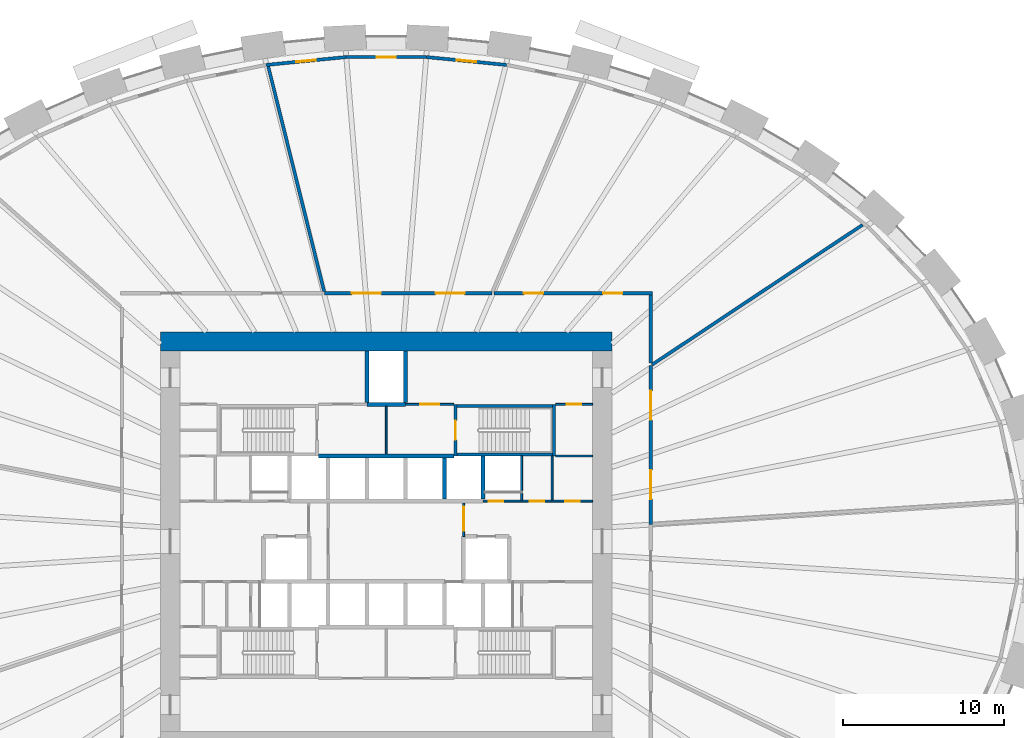
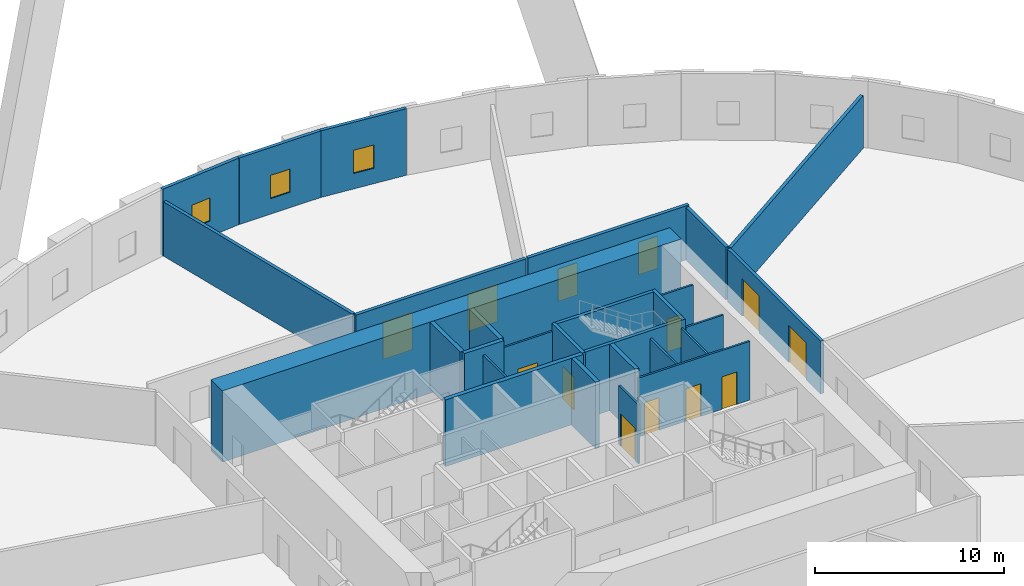
# One storey, part 7 of 9: 28 walls, 13 doors, 3 windows, 16 openings.
"""IFC4 building model written with IfcOpenShell, lengths in metres."""

from ifc_helpers import new_model, si_unit, direction, frame, frame_2d, origin, place, context, subcontext, project, spatial, rectangle, extrude, source, transform, mapped, material, layer, layer_set, type_object, element, fill, save


model = new_model("IFC4")

# Units and contexts
model_context = context("Model", 3, precision=1e-05, world=origin(), true_north=direction((0.0, 1.0)))
body_context = subcontext(model_context, "Body", "Model", "MODEL_VIEW")
ifc_project = project(units=[si_unit("LENGTHUNIT", "METRE"), si_unit("AREAUNIT", "SQUARE_METRE"), si_unit("VOLUMEUNIT", "CUBIC_METRE"), si_unit("PLANEANGLEUNIT", "RADIAN"), si_unit("MASSUNIT", "GRAM", prefix="KILO")], contexts=[model_context])

# Site, building, storey
site_placement = place(None, origin())
site = spatial("IfcSite", under=ifc_project, at=site_placement, CompositionType="ELEMENT")
building_placement = place(site_placement, origin())
building = spatial("IfcBuilding", under=site, at=building_placement, Name="Embergate Tower", CompositionType="ELEMENT")
storey_placement = place(building_placement, frame((0.0, 0.0, 53.60009765625)))
storey = spatial("IfcBuildingStorey", under=building, at=storey_placement, Name="L09", CompositionType="ELEMENT", Elevation=53.60009765625)

# Wall
ifc_material_1 = material(Name="Concrete C80", Category="concrete")
ifc_layer_1 = layer(ifc_material_1, 1.199951171875)
ifc_layer_set_1 = layer_set([ifc_layer_1], Name="Concrete C80")
wall_type_1 = type_object("IfcWallType", Name="Core outer wall C80 1200", PredefinedType="SHEAR", material=ifc_layer_set_1)
shared_shape_1 = source(origin(), body_context, "Body", "SweptSolid", [
    extrude(rectangle(XDim=28.0, YDim=1.199951171875, at=frame_2d((14.0, 0.0))), origin(), (0.0, 0.0, 1.0), 4.599853515625),
])
wall_1_placement = place(storey_placement, frame((-14.0, 12.39990234375, -0.300048828125), z_axis=(0.0, 0.0, 1.0), x_axis=(1.0, 0.0, 0.0)))
element("IfcWall", 1, at=wall_1_placement, inside=storey, type_object=wall_type_1, Name="CW-L09-N", PredefinedType="SHEAR", context=body_context, shape_type="MappedRepresentation", body=[
    mapped(shared_shape_1, transform((0.0, 0.0, 0.0))),
])

# Wall, opening, window
ifc_material_2 = material(Name="Terracotta louvre cladding on insulated backing", Category="masonry")
ifc_layer_2 = layer(ifc_material_2, 0.199951171875)
ifc_layer_set_2 = layer_set([ifc_layer_2], Name="Terracotta louvre cladding on insulated backing")
wall_type_2 = type_object("IfcWallType", Name="Terracotta louvre wall", PredefinedType="SOLIDWALL", material=ifc_layer_set_2)
shared_shape_2 = source(origin(), body_context, "Body", "SweptSolid", [
    extrude(rectangle(XDim=4.96923828125, YDim=0.199951171875, at=frame_2d((2.484619140625, 0.0))), origin(), (0.0, 0.0, 1.0), 4.2998046875),
])
wall_2_placement = place(storey_placement, frame((2.5048828125, 30.0419921875, 0.0), z_axis=(0.0, 0.0, 1.0), x_axis=(0.995204077975, -0.097820464023, 0.0)))
wall_2 = element("IfcWall", 2, at=wall_2_placement, inside=storey, type_object=wall_type_2, Name="Louvre wall 10", PredefinedType="SOLIDWALL", context=body_context, shape_type="MappedRepresentation", body=[
    mapped(shared_shape_2, transform((0.0, 0.0, 0.0))),
])
shared_shape_3 = source(origin(), body_context, "Body", "SweptSolid", [
    extrude(rectangle(XDim=1.199951171875, YDim=1.5, at=frame_2d((0.60009765625, 0.75))), frame((0.0, 0.10986328125, 0.0), z_axis=(0.0, -1.0, 0.0), x_axis=(1.0, 0.0, 0.0)), (0.0, 0.0, 1.0), 0.219970703125),
])
opening_1_placement = place(wall_2_placement, frame((1.884521484375, 0.0, 1.0)))
opening_1 = element("IfcOpeningElement", 3, at=opening_1_placement, cuts=wall_2, Name="Opening RW", PredefinedType="OPENING", context=body_context, shape_type="MappedRepresentation", body=[
    mapped(shared_shape_3, transform((0.0, 0.0, 0.0))),
])
ifc_material_3 = material(Name="Aluminium, thermally broken, triple glazed", Category="aluminium")
window_type = type_object("IfcWindowType", Name="Refuge operable window", PartitioningType="SINGLE_PANEL", PredefinedType="WINDOW", material=ifc_material_3)
shared_shape_4 = source(origin(), body_context, "Body", "SweptSolid", [
    extrude(rectangle(XDim=1.199951171875, YDim=1.5, at=frame_2d((0.60009765625, 0.75))), frame((0.0, 0.030029296875, 0.0), z_axis=(0.0, -1.0, 0.0), x_axis=(1.0, 0.0, 0.0)), (0.0, 0.0, 1.0), 0.06005859375),
])
window_1_placement = place(opening_1_placement, origin())
window_1 = element("IfcWindow", 4, at=window_1_placement, inside=storey, type_object=window_type, Name="Refuge window 10", OverallHeight=1.5, OverallWidth=1.199951171875, PartitioningType="SINGLE_PANEL", PredefinedType="WINDOW", context=body_context, shape_type="MappedRepresentation", body=[
    mapped(shared_shape_4, transform((0.0, 0.0, 0.0))),
])
fill(opening_1, window_1)

wall_3_placement = place(storey_placement, frame((-7.4501953125, 29.555908203125, 0.0), z_axis=(0.0, 0.0, 1.0), x_axis=(0.995204077975, 0.097820464023, 0.0)))
wall_3 = element("IfcWall", 5, at=wall_3_placement, inside=storey, type_object=wall_type_2, Name="Louvre wall 12", PredefinedType="SOLIDWALL", context=body_context, shape_type="MappedRepresentation", body=[
    mapped(shared_shape_2, transform((0.0, 0.0, 0.0))),
])
opening_2_placement = place(wall_3_placement, frame((1.884521484375, 0.0, 1.0)))
opening_2 = element("IfcOpeningElement", 6, at=opening_2_placement, cuts=wall_3, Name="Opening RW", PredefinedType="OPENING", context=body_context, shape_type="MappedRepresentation", body=[
    mapped(shared_shape_3, transform((0.0, 0.0, 0.0))),
])
window_2_placement = place(opening_2_placement, origin())
window_2 = element("IfcWindow", 7, at=window_2_placement, inside=storey, type_object=window_type, Name="Refuge window 12", OverallHeight=1.5, OverallWidth=1.199951171875, PartitioningType="SINGLE_PANEL", PredefinedType="WINDOW", context=body_context, shape_type="MappedRepresentation", body=[
    mapped(shared_shape_4, transform((0.0, 0.0, 0.0))),
])
fill(opening_2, window_2)

shared_shape_5 = source(origin(), body_context, "Body", "SweptSolid", [
    extrude(rectangle(XDim=4.9697265625, YDim=0.199951171875, at=frame_2d((2.48486328125, 0.0))), origin(), (0.0, 0.0, 1.0), 4.2998046875),
])
wall_4_placement = place(storey_placement, frame((-2.48486328125, 30.043212890625, 0.0), z_axis=(0.0, 0.0, 1.0), x_axis=(1.0, 0.0, 0.0)))
wall_4 = element("IfcWall", 8, at=wall_4_placement, inside=storey, type_object=wall_type_2, Name="Louvre wall 11", PredefinedType="SOLIDWALL", context=body_context, shape_type="MappedRepresentation", body=[
    mapped(shared_shape_5, transform((0.0, 0.0, 0.0))),
])
opening_3_placement = place(wall_4_placement, frame((1.884765625, 0.0, 1.0)))
opening_3 = element("IfcOpeningElement", 9, at=opening_3_placement, cuts=wall_4, Name="Opening RW", PredefinedType="OPENING", context=body_context, shape_type="MappedRepresentation", body=[
    mapped(shared_shape_3, transform((0.0, 0.0, 0.0))),
])
window_3_placement = place(opening_3_placement, origin())
window_3 = element("IfcWindow", 10, at=window_3_placement, inside=storey, type_object=window_type, Name="Refuge window 11", OverallHeight=1.5, OverallWidth=1.199951171875, PartitioningType="SINGLE_PANEL", PredefinedType="WINDOW", context=body_context, shape_type="MappedRepresentation", body=[
    mapped(shared_shape_4, transform((0.0, 0.0, 0.0))),
])
fill(opening_3, window_3)

# Wall
ifc_material_4 = material(Name="Concrete C50", Category="concrete")
ifc_layer_3 = layer(ifc_material_4, 0.25)
ifc_layer_set_3 = layer_set([ifc_layer_3], Name="Concrete C50")
wall_type_3 = type_object("IfcWallType", Name="Hoistway wall reinforced concrete 250", PredefinedType="SHEAR", material=ifc_layer_set_3)
shared_shape_6 = source(origin(), body_context, "Body", "SweptSolid", [
    extrude(rectangle(XDim=2.675048828125, YDim=0.25, at=frame_2d((1.33740234375, 0.0))), origin(), (0.0, 0.0, 1.0), 4.2998046875),
])
wall_5_placement = place(storey_placement, frame((6.0, 2.625, 0.0), z_axis=(0.0, 0.0, 1.0), x_axis=(0.0, 1.0, 0.0)))
element("IfcWall", 11, at=wall_5_placement, inside=storey, type_object=wall_type_3, Name="HW-1 wall", PredefinedType="SHEAR", context=body_context, shape_type="MappedRepresentation", body=[
    mapped(shared_shape_6, transform((0.0, 0.0, 0.0))),
])

# Wall, openings, doors
ifc_material_5 = material(Name="Core partition blockwork 120")
ifc_layer_4 = layer(ifc_material_5, 0.1201171875)
ifc_layer_set_4 = layer_set([ifc_layer_4], Name="Core partition blockwork 120")
wall_type_4 = type_object("IfcWallType", Name="Core partition blockwork 120", PredefinedType="PARTITIONING", material=ifc_layer_set_4)
shared_shape_7 = source(origin(), body_context, "Body", "SweptSolid", [
    extrude(rectangle(XDim=6.800048828125, YDim=0.1201171875, at=frame_2d((3.39990234375, 0.0))), origin(), (0.0, 0.0, 1.0), 3.7998046875),
])
wall_6_placement = place(storey_placement, frame((6.0, 2.5, 0.0), z_axis=(0.0, 0.0, 1.0), x_axis=(1.0, 0.0, 0.0)))
wall_6 = element("IfcWall", 12, at=wall_6_placement, inside=storey, type_object=wall_type_4, Name="IP-3 wall", PredefinedType="PARTITIONING", context=body_context, shape_type="MappedRepresentation", body=[
    mapped(shared_shape_7, transform((0.0, 0.0, 0.0))),
])
shared_shape_8 = source(origin(), body_context, "Body", "SweptSolid", [
    extrude(rectangle(XDim=0.89990234375, YDim=2.10009765625, at=frame_2d((0.449951171875, 1.050048828125))), frame((0.0, 0.070068359375, 0.0), z_axis=(0.0, -1.0, 0.0), x_axis=(1.0, 0.0, 0.0)), (0.0, 0.0, 1.0), 0.14013671875),
])
opening_4_placement = place(wall_6_placement, frame((0.35009765625, 0.0, 0.0)))
opening_4 = element("IfcOpeningElement", 13, at=opening_4_placement, cuts=wall_6, Name="Opening ID-1", PredefinedType="OPENING", context=body_context, shape_type="MappedRepresentation", body=[
    mapped(shared_shape_8, transform((0.0, 0.0, 0.0))),
])
opening_5_placement = place(wall_6_placement, frame((2.89599609375, 0.0, 0.0)))
opening_5 = element("IfcOpeningElement", 14, at=opening_5_placement, cuts=wall_6, Name="Opening ID-1", PredefinedType="OPENING", context=body_context, shape_type="MappedRepresentation", body=[
    mapped(shared_shape_8, transform((0.0, 0.0, 0.0))),
])
opening_6_placement = place(wall_6_placement, frame((5.095947265625, 0.0, 0.0)))
opening_6 = element("IfcOpeningElement", 15, at=opening_6_placement, cuts=wall_6, Name="Opening ID-1", PredefinedType="OPENING", context=body_context, shape_type="MappedRepresentation", body=[
    mapped(shared_shape_8, transform((0.0, 0.0, 0.0))),
])
ifc_material_6 = material(Name="Interior door 900")
door_type_1 = type_object("IfcDoorType", Name="Interior door 900", OperationType="SINGLE_SWING_LEFT", PredefinedType="DOOR", material=ifc_material_6)
shared_shape_9 = source(origin(), body_context, "Body", "SweptSolid", [
    extrude(rectangle(XDim=0.89990234375, YDim=2.10009765625, at=frame_2d((0.449951171875, 1.050048828125))), frame((0.0, 0.02490234375, 0.0), z_axis=(0.0, -1.0, 0.0), x_axis=(1.0, 0.0, 0.0)), (0.0, 0.0, 1.0), 0.050048828125),
])
door_1_placement = place(opening_4_placement, origin())
door_1 = element("IfcDoor", 16, at=door_1_placement, inside=storey, type_object=door_type_1, Name="ID-1 door", OperationType="SINGLE_SWING_RIGHT", OverallHeight=2.10009765625, OverallWidth=0.89990234375, PredefinedType="DOOR", context=body_context, shape_type="MappedRepresentation", body=[
    mapped(shared_shape_9, transform((0.0, 0.0, 0.0))),
])
fill(opening_4, door_1)
door_2_placement = place(opening_5_placement, origin())
door_2 = element("IfcDoor", 17, at=door_2_placement, inside=storey, type_object=door_type_1, Name="ID-1 door", OperationType="SINGLE_SWING_LEFT", OverallHeight=2.10009765625, OverallWidth=0.89990234375, PredefinedType="DOOR", context=body_context, shape_type="MappedRepresentation", body=[
    mapped(shared_shape_9, transform((0.0, 0.0, 0.0))),
])
fill(opening_5, door_2)
door_3_placement = place(opening_6_placement, origin())
door_3 = element("IfcDoor", 18, at=door_3_placement, inside=storey, type_object=door_type_1, Name="ID-1 door", OperationType="SINGLE_SWING_LEFT", OverallHeight=2.10009765625, OverallWidth=0.89990234375, PredefinedType="DOOR", context=body_context, shape_type="MappedRepresentation", body=[
    mapped(shared_shape_9, transform((0.0, 0.0, 0.0))),
])
fill(opening_6, door_3)

# Walls
ifc_layer_5 = layer(ifc_material_4, 0.199951171875)
ifc_layer_set_5 = layer_set([ifc_layer_5], Name="Concrete C50")
wall_type_5 = type_object("IfcWallType", Name="Stair enclosure wall reinforced concrete 250", PredefinedType="SHEAR", material=ifc_layer_set_5)
shared_shape_10 = source(origin(), body_context, "Body", "SweptSolid", [
    extrude(rectangle(XDim=6.300048828125, YDim=0.199951171875, at=frame_2d((3.14990234375, 0.0))), origin(), (0.0, 0.0, 1.0), 4.2998046875),
])
for number, where, z_axis, x_axis, name in (
    (19, (10.5, 5.39990234375, 0.0), (0.0, 0.0, 1.0), (-1.0, 0.0, 0.0), "SE-1 wall"),
    (20, (10.5, 8.39990234375, 0.0), (0.0, 0.0, 1.0), (-1.0, 0.0, 0.0), "SE-1 wall"),
):
    element("IfcWall", number, at=place(storey_placement, frame(where, z_axis=z_axis, x_axis=x_axis)), inside=storey, type_object=wall_type_5, Name=name, PredefinedType="SHEAR", context=body_context, shape_type="MappedRepresentation", body=[
        mapped(shared_shape_10, transform((0.0, 0.0, 0.0))),
    ])
shared_shape_11 = source(origin(), body_context, "Body", "SweptSolid", [
    extrude(rectangle(XDim=2.739990234375, YDim=0.1201171875, at=frame_2d((1.3701171875, 0.0))), origin(), (0.0, 0.0, 1.0), 3.7998046875),
])
for number, where, z_axis, x_axis, name in (
    (21, (8.39990234375, 2.56005859375, 0.0), (0.0, 0.0, 1.0), (0.0, 1.0, 0.0), "IP-3 wall"),
    (22, (10.2919921875, 2.56005859375, 0.0), (0.0, 0.0, 1.0), (0.0, 1.0, 0.0), "IP-3 wall"),
):
    element("IfcWall", number, at=place(storey_placement, frame(where, z_axis=z_axis, x_axis=x_axis)), inside=storey, type_object=wall_type_4, Name=name, PredefinedType="PARTITIONING", context=body_context, shape_type="MappedRepresentation", body=[
        mapped(shared_shape_11, transform((0.0, 0.0, 0.0))),
    ])
shared_shape_12 = source(origin(), body_context, "Body", "SweptSolid", [
    extrude(rectangle(XDim=2.550048828125, YDim=0.25, at=frame_2d((1.27490234375, 0.0))), origin(), (0.0, 0.0, 1.0), 4.2998046875),
])
wall_7_placement = place(storey_placement, frame((3.60009765625, 2.625, 0.0), z_axis=(0.0, 0.0, 1.0), x_axis=(0.0, 1.0, 0.0)))
element("IfcWall", 23, at=wall_7_placement, inside=storey, type_object=wall_type_3, Name="HW-1 wall", PredefinedType="SHEAR", context=body_context, shape_type="MappedRepresentation", body=[
    mapped(shared_shape_12, transform((0.0, 0.0, 0.0))),
])
shared_shape_13 = source(origin(), body_context, "Body", "SweptSolid", [
    extrude(rectangle(XDim=8.39990234375, YDim=0.25, at=frame_2d((4.199951171875, 0.0))), origin(), (0.0, 0.0, 1.0), 4.2998046875),
])
wall_8_placement = place(storey_placement, frame((4.199951171875, 5.300048828125, 0.0), z_axis=(0.0, 0.0, 1.0), x_axis=(-1.0, 0.0, 0.0)))
element("IfcWall", 24, at=wall_8_placement, inside=storey, type_object=wall_type_3, Name="HW-1 wall", PredefinedType="SHEAR", context=body_context, shape_type="MappedRepresentation", body=[
    mapped(shared_shape_13, transform((0.0, 0.0, 0.0))),
])

# Wall, opening, door
shared_shape_14 = source(origin(), body_context, "Body", "SweptSolid", [
    extrude(rectangle(XDim=2.074951171875, YDim=0.1201171875, at=frame_2d((1.03759765625, 0.0))), origin(), (0.0, 0.0, 1.0), 3.7998046875),
])
wall_9_placement = place(storey_placement, frame((4.800048828125, 0.300048828125, 0.0), z_axis=(0.0, 0.0, 1.0), x_axis=(0.0, 1.0, 0.0)))
wall_9 = element("IfcWall", 25, at=wall_9_placement, inside=storey, type_object=wall_type_4, Name="IP-3 wall", PredefinedType="PARTITIONING", context=body_context, shape_type="MappedRepresentation", body=[
    mapped(shared_shape_14, transform((0.0, 0.0, 0.0))),
])
shared_shape_15 = source(origin(), body_context, "Body", "SweptSolid", [
    extrude(rectangle(XDim=1.5, YDim=2.10009765625, at=frame_2d((0.75, 1.050048828125))), frame((0.0, 0.070068359375, 0.0), z_axis=(0.0, -1.0, 0.0), x_axis=(1.0, 0.0, 0.0)), (0.0, 0.0, 1.0), 0.14013671875),
])
opening_7_placement = place(wall_9_placement, frame((0.35009765625, 0.0, 0.0)))
opening_7 = element("IfcOpeningElement", 26, at=opening_7_placement, cuts=wall_9, Name="Opening IF-3", PredefinedType="OPENING", context=body_context, shape_type="MappedRepresentation", body=[
    mapped(shared_shape_15, transform((0.0, 0.0, 0.0))),
])
ifc_material_7 = material(Name="Lobby fire door pair 1500")
door_type_2 = type_object("IfcDoorType", Name="Lobby fire door pair 1500", OperationType="DOUBLE_DOOR_SINGLE_SWING", PredefinedType="DOOR", material=ifc_material_7)
shared_shape_16 = source(origin(), body_context, "Body", "SweptSolid", [
    extrude(rectangle(XDim=1.5, YDim=2.10009765625, at=frame_2d((0.75, 1.050048828125))), frame((0.0, 0.02490234375, 0.0), z_axis=(0.0, -1.0, 0.0), x_axis=(1.0, 0.0, 0.0)), (0.0, 0.0, 1.0), 0.050048828125),
])
door_4_placement = place(opening_7_placement, origin())
door_4 = element("IfcDoor", 27, at=door_4_placement, inside=storey, type_object=door_type_2, Name="IF-3 door", OperationType="DOUBLE_DOOR_SINGLE_SWING", OverallHeight=2.10009765625, OverallWidth=1.5, PredefinedType="DOOR", context=body_context, shape_type="MappedRepresentation", body=[
    mapped(shared_shape_16, transform((0.0, 0.0, 0.0))),
])
fill(opening_7, door_4)

shared_shape_17 = source(origin(), body_context, "Body", "SweptSolid", [
    extrude(rectangle(XDim=3.199951171875, YDim=0.199951171875, at=frame_2d((1.60009765625, 0.0))), origin(), (0.0, 0.0, 1.0), 4.2998046875),
])
wall_10_placement = place(storey_placement, frame((4.300048828125, 8.5, 0.0), z_axis=(0.0, 0.0, 1.0), x_axis=(0.0, -1.0, 0.0)))
wall_10 = element("IfcWall", 28, at=wall_10_placement, inside=storey, type_object=wall_type_5, Name="SE-1 wall", PredefinedType="SHEAR", context=body_context, shape_type="MappedRepresentation", body=[
    mapped(shared_shape_17, transform((0.0, 0.0, 0.0))),
])
shared_shape_18 = source(origin(), body_context, "Body", "SweptSolid", [
    extrude(rectangle(XDim=1.199951171875, YDim=2.10009765625, at=frame_2d((0.60009765625, 1.050048828125))), frame((0.0, 0.10986328125, 0.0), z_axis=(0.0, -1.0, 0.0), x_axis=(1.0, 0.0, 0.0)), (0.0, 0.0, 1.0), 0.219970703125),
])
opening_8_placement = place(wall_10_placement, frame((1.0, 0.0, 0.0)))
opening_8 = element("IfcOpeningElement", 29, at=opening_8_placement, cuts=wall_10, Name="Opening IF-2", PredefinedType="OPENING", context=body_context, shape_type="MappedRepresentation", body=[
    mapped(shared_shape_18, transform((0.0, 0.0, 0.0))),
])
ifc_material_8 = material(Name="Stair enclosure door 1200")
door_type_3 = type_object("IfcDoorType", Name="Stair enclosure door 1200", OperationType="SINGLE_SWING_LEFT", PredefinedType="DOOR", material=ifc_material_8)
shared_shape_19 = source(origin(), body_context, "Body", "SweptSolid", [
    extrude(rectangle(XDim=1.199951171875, YDim=2.10009765625, at=frame_2d((0.60009765625, 1.050048828125))), frame((0.0, 0.02490234375, 0.0), z_axis=(0.0, -1.0, 0.0), x_axis=(1.0, 0.0, 0.0)), (0.0, 0.0, 1.0), 0.050048828125),
])
door_5_placement = place(opening_8_placement, origin())
door_5 = element("IfcDoor", 30, at=door_5_placement, inside=storey, type_object=door_type_3, Name="IF-2 door", OperationType="SINGLE_SWING_LEFT", OverallHeight=2.10009765625, OverallWidth=1.199951171875, PredefinedType="DOOR", context=body_context, shape_type="MappedRepresentation", body=[
    mapped(shared_shape_19, transform((0.0, 0.0, 0.0))),
])
fill(opening_8, door_5)

# Walls
wall_11_placement = place(storey_placement, frame((10.39990234375, 5.300048828125, 0.0), z_axis=(0.0, 0.0, 1.0), x_axis=(0.0, 1.0, 0.0)))
element("IfcWall", 31, at=wall_11_placement, inside=storey, type_object=wall_type_5, Name="SE-1 wall", PredefinedType="SHEAR", context=body_context, shape_type="MappedRepresentation", body=[
    mapped(shared_shape_17, transform((0.0, 0.0, 0.0))),
])
shared_shape_20 = source(origin(), body_context, "Body", "SweptSolid", [
    extrude(rectangle(XDim=2.949951171875, YDim=0.1201171875, at=frame_2d((1.47509765625, 0.0))), origin(), (0.0, 0.0, 1.0), 3.7998046875),
])
wall_12_placement = place(storey_placement, frame((0.0, 5.425048828125, 0.0), z_axis=(0.0, 0.0, 1.0), x_axis=(0.0, 1.0, 0.0)))
element("IfcWall", 32, at=wall_12_placement, inside=storey, type_object=wall_type_4, Name="IP-3 wall", PredefinedType="PARTITIONING", context=body_context, shape_type="MappedRepresentation", body=[
    mapped(shared_shape_20, transform((0.0, 0.0, 0.0))),
])

# Wall, opening, door
shared_shape_21 = source(origin(), body_context, "Body", "SweptSolid", [
    extrude(rectangle(XDim=3.0, YDim=0.1201171875, at=frame_2d((1.5, 0.0))), origin(), (0.0, 0.0, 1.0), 3.7998046875),
])
wall_13_placement = place(storey_placement, frame((4.199951171875, 8.5, 0.0), z_axis=(0.0, 0.0, 1.0), x_axis=(-1.0, 0.0, 0.0)))
wall_13 = element("IfcWall", 33, at=wall_13_placement, inside=storey, type_object=wall_type_4, Name="IP-3 wall", PredefinedType="PARTITIONING", context=body_context, shape_type="MappedRepresentation", body=[
    mapped(shared_shape_21, transform((0.0, 0.0, 0.0))),
])
shared_shape_22 = source(origin(), body_context, "Body", "SweptSolid", [
    extrude(rectangle(XDim=1.199951171875, YDim=2.10009765625, at=frame_2d((0.60009765625, 1.050048828125))), frame((0.0, 0.070068359375, 0.0), z_axis=(0.0, -1.0, 0.0), x_axis=(1.0, 0.0, 0.0)), (0.0, 0.0, 1.0), 0.14013671875),
])
opening_9_placement = place(wall_13_placement, frame((0.89990234375, 0.0, 0.0)))
opening_9 = element("IfcOpeningElement", 34, at=opening_9_placement, cuts=wall_13, Name="Opening IF-3f", PredefinedType="OPENING", context=body_context, shape_type="MappedRepresentation", body=[
    mapped(shared_shape_22, transform((0.0, 0.0, 0.0))),
])
ifc_material_9 = material(Name="Lobby fire door pair 1200")
door_type_4 = type_object("IfcDoorType", Name="Lobby fire door pair 1200", OperationType="DOUBLE_DOOR_SINGLE_SWING", PredefinedType="DOOR", material=ifc_material_9)
door_6_placement = place(opening_9_placement, origin())
door_6 = element("IfcDoor", 35, at=door_6_placement, inside=storey, type_object=door_type_4, Name="IF-3 door", OperationType="DOUBLE_DOOR_SINGLE_SWING", OverallHeight=2.10009765625, OverallWidth=1.199951171875, PredefinedType="DOOR", context=body_context, shape_type="MappedRepresentation", body=[
    mapped(shared_shape_19, transform((0.0, 0.0, 0.0))),
])
fill(opening_9, door_6)

# Walls
shared_shape_23 = source(origin(), body_context, "Body", "SweptSolid", [
    extrude(rectangle(XDim=2.39990234375, YDim=0.25, at=frame_2d((1.199951171875, 0.0))), origin(), (0.0, 0.0, 1.0), 4.2998046875),
])
wall_14_placement = place(storey_placement, frame((1.199951171875, 8.5, 0.0), z_axis=(0.0, 0.0, 1.0), x_axis=(-1.0, 0.0, 0.0)))
element("IfcWall", 36, at=wall_14_placement, inside=storey, type_object=wall_type_3, Name="HW-1 wall", PredefinedType="SHEAR", context=body_context, shape_type="MappedRepresentation", body=[
    mapped(shared_shape_23, transform((0.0, 0.0, 0.0))),
])
shared_shape_24 = source(origin(), body_context, "Body", "SweptSolid", [
    extrude(rectangle(XDim=3.175048828125, YDim=0.25, at=frame_2d((1.58740234375, 0.0))), origin(), (0.0, 0.0, 1.0), 4.2998046875),
])
for number, where, z_axis, x_axis, name in (
    (37, (-1.199951171875, 8.625, 0.0), (0.0, 0.0, 1.0), (0.0, 1.0, 0.0), "HW-1 wall"),
    (38, (1.199951171875, 11.800048828125, 0.0), (0.0, 0.0, 1.0), (0.0, -1.0, 0.0), "HW-1 wall"),
):
    element("IfcWall", number, at=place(storey_placement, frame(where, z_axis=z_axis, x_axis=x_axis)), inside=storey, type_object=wall_type_3, Name=name, PredefinedType="SHEAR", context=body_context, shape_type="MappedRepresentation", body=[
        mapped(shared_shape_24, transform((0.0, 0.0, 0.0))),
    ])

# Wall, opening, door
shared_shape_25 = source(origin(), body_context, "Body", "SweptSolid", [
    extrude(rectangle(XDim=2.300048828125, YDim=0.1201171875, at=frame_2d((1.14990234375, 0.0))), origin(), (0.0, 0.0, 1.0), 3.7998046875),
])
wall_15_placement = place(storey_placement, frame((10.5, 8.5, 0.0), z_axis=(0.0, 0.0, 1.0), x_axis=(1.0, 0.0, 0.0)))
wall_15 = element("IfcWall", 39, at=wall_15_placement, inside=storey, type_object=wall_type_4, Name="IP-3 wall", PredefinedType="PARTITIONING", context=body_context, shape_type="MappedRepresentation", body=[
    mapped(shared_shape_25, transform((0.0, 0.0, 0.0))),
])
opening_10_placement = place(wall_15_placement, frame((0.699951171875, 0.0, 0.0)))
opening_10 = element("IfcOpeningElement", 40, at=opening_10_placement, cuts=wall_15, Name="Opening ID-1", PredefinedType="OPENING", context=body_context, shape_type="MappedRepresentation", body=[
    mapped(shared_shape_8, transform((0.0, 0.0, 0.0))),
])
door_7_placement = place(opening_10_placement, origin())
door_7 = element("IfcDoor", 41, at=door_7_placement, inside=storey, type_object=door_type_1, Name="ID-1 door", OperationType="SINGLE_SWING_RIGHT", OverallHeight=2.10009765625, OverallWidth=0.89990234375, PredefinedType="DOOR", context=body_context, shape_type="MappedRepresentation", body=[
    mapped(shared_shape_9, transform((0.0, 0.0, 0.0))),
])
fill(opening_10, door_7)

# Walls
wall_16_placement = place(storey_placement, frame((12.800048828125, 5.300048828125, 0.0), z_axis=(0.0, 0.0, 1.0), x_axis=(-1.0, 0.0, 0.0)))
element("IfcWall", 42, at=wall_16_placement, inside=storey, type_object=wall_type_4, Name="IP-3 wall", PredefinedType="PARTITIONING", context=body_context, shape_type="MappedRepresentation", body=[
    mapped(shared_shape_25, transform((0.0, 0.0, 0.0))),
])
ifc_material_10 = material(Name="Blockwork, plastered", Category="masonry")
ifc_layer_6 = layer(ifc_material_10, 0.199951171875)
ifc_layer_set_6 = layer_set([ifc_layer_6], Name="Blockwork, plastered")
wall_type_6 = type_object("IfcWallType", Name="Fire partition wall 200 block", PredefinedType="PARTITIONING", material=ifc_layer_set_6)
shared_shape_26 = source(origin(), body_context, "Body", "SweptSolid", [
    extrude(rectangle(XDim=14.3916015625, YDim=0.199951171875, at=frame_2d((7.19580078125, 0.0))), origin(), (0.0, 0.0, 1.0), 3.5),
])
wall_17_placement = place(storey_placement, frame((-3.85107421875, 15.4970703125, 0.0), z_axis=(0.0, 0.0, 1.0), x_axis=(-0.241110381202, 0.970497699161, 0.0)))
element("IfcWall", 43, at=wall_17_placement, inside=storey, type_object=wall_type_6, Name="Partition 010", PredefinedType="PARTITIONING", context=body_context, shape_type="MappedRepresentation", body=[
    mapped(shared_shape_26, transform((0.0, 0.0, 0.0))),
])

# Wall, openings, doors
shared_shape_27 = source(origin(), body_context, "Body", "SweptSolid", [
    extrude(rectangle(XDim=10.3779296875, YDim=0.199951171875, at=frame_2d((5.18896484375, 0.0))), origin(), (0.0, 0.0, 1.0), 3.5),
])
wall_18_placement = place(storey_placement, frame((-3.826904296875, 15.39990234375, 0.0), z_axis=(0.0, 0.0, 1.0), x_axis=(1.0, 0.0, 0.0)))
wall_18 = element("IfcWall", 44, at=wall_18_placement, inside=storey, type_object=wall_type_6, Name="Partition 011", PredefinedType="PARTITIONING", context=body_context, shape_type="MappedRepresentation", body=[
    mapped(shared_shape_27, transform((0.0, 0.0, 0.0))),
])
shared_shape_28 = source(origin(), body_context, "Body", "SweptSolid", [
    extrude(rectangle(XDim=1.800048828125, YDim=2.39990234375, at=frame_2d((0.89990234375, 1.199951171875))), frame((0.0, 0.10986328125, 0.0), z_axis=(0.0, -1.0, 0.0), x_axis=(1.0, 0.0, 0.0)), (0.0, 0.0, 1.0), 0.219970703125),
])
opening_11_placement = place(wall_18_placement, frame((1.695068359375, 0.0, 0.0)))
opening_11 = element("IfcOpeningElement", 45, at=opening_11_placement, cuts=wall_18, Name="Opening DS-137", PredefinedType="OPENING", context=body_context, shape_type="MappedRepresentation", body=[
    mapped(shared_shape_28, transform((0.0, 0.0, 0.0))),
])
opening_12_placement = place(wall_18_placement, frame((6.883056640625, 0.0, 0.0)))
opening_12 = element("IfcOpeningElement", 46, at=opening_12_placement, cuts=wall_18, Name="Opening DS-138", PredefinedType="OPENING", context=body_context, shape_type="MappedRepresentation", body=[
    mapped(shared_shape_28, transform((0.0, 0.0, 0.0))),
])
ifc_material_11 = material(Name="Timber door leaf, steel frame", Category="steel")
door_type_5 = type_object("IfcDoorType", Name="Double door 1800x2400", OperationType="DOUBLE_DOOR_SINGLE_SWING", PredefinedType="DOOR", material=ifc_material_11)
shared_shape_29 = source(origin(), body_context, "Body", "SweptSolid", [
    extrude(rectangle(XDim=1.800048828125, YDim=2.39990234375, at=frame_2d((0.89990234375, 1.199951171875))), frame((0.0, 0.02490234375, 0.0), z_axis=(0.0, -1.0, 0.0), x_axis=(1.0, 0.0, 0.0)), (0.0, 0.0, 1.0), 0.050048828125),
])
door_8_placement = place(opening_11_placement, origin())
door_8 = element("IfcDoor", 47, at=door_8_placement, inside=storey, type_object=door_type_5, Name="Door to Refuge area", OperationType="SINGLE_SWING_LEFT", OverallHeight=2.39990234375, OverallWidth=1.800048828125, PredefinedType="DOOR", context=body_context, shape_type="MappedRepresentation", body=[
    mapped(shared_shape_29, transform((0.0, 0.0, 0.0))),
])
fill(opening_11, door_8)
door_9_placement = place(opening_12_placement, origin())
door_9 = element("IfcDoor", 48, at=door_9_placement, inside=storey, type_object=door_type_5, Name="Door to Refuge area", OperationType="SINGLE_SWING_LEFT", OverallHeight=2.39990234375, OverallWidth=1.800048828125, PredefinedType="DOOR", context=body_context, shape_type="MappedRepresentation", body=[
    mapped(shared_shape_29, transform((0.0, 0.0, 0.0))),
])
fill(opening_12, door_9)

shared_shape_30 = source(origin(), body_context, "Body", "SweptSolid", [
    extrude(rectangle(XDim=9.819091796875, YDim=0.199951171875, at=frame_2d((4.90966796875, 0.0))), origin(), (0.0, 0.0, 1.0), 3.5),
])
wall_19_placement = place(storey_placement, frame((6.680908203125, 15.39990234375, 0.0), z_axis=(0.0, 0.0, 1.0), x_axis=(1.0, 0.0, 0.0)))
wall_19 = element("IfcWall", 49, at=wall_19_placement, inside=storey, type_object=wall_type_6, Name="Partition 015", PredefinedType="PARTITIONING", context=body_context, shape_type="MappedRepresentation", body=[
    mapped(shared_shape_30, transform((0.0, 0.0, 0.0))),
])
opening_13_placement = place(wall_19_placement, frame((1.85498046875, 0.0, 0.0)))
opening_13 = element("IfcOpeningElement", 50, at=opening_13_placement, cuts=wall_19, Name="Opening DS-135", PredefinedType="OPENING", context=body_context, shape_type="MappedRepresentation", body=[
    mapped(shared_shape_18, transform((0.0, 0.0, 0.0))),
])
opening_14_placement = place(wall_19_placement, frame((6.763916015625, 0.0, 0.0)))
opening_14 = element("IfcOpeningElement", 51, at=opening_14_placement, cuts=wall_19, Name="Opening DS-136", PredefinedType="OPENING", context=body_context, shape_type="MappedRepresentation", body=[
    mapped(shared_shape_18, transform((0.0, 0.0, 0.0))),
])
door_type_6 = type_object("IfcDoorType", Name="Plant door 1200x2100", OperationType="SINGLE_SWING_LEFT", PredefinedType="DOOR", material=ifc_material_11)
shared_shape_31 = source(origin(), body_context, "Body", "SweptSolid", [
    extrude(rectangle(XDim=1.199951171875, YDim=2.10009765625, at=frame_2d((0.60009765625, 1.050048828125))), frame((0.0, 0.02490234375, 0.0), z_axis=(0.0, -1.0, 0.0), x_axis=(1.0, 0.0, 0.0)), (0.0, 0.0, 1.0), 0.050048828125),
])
door_10_placement = place(opening_13_placement, origin())
door_10 = element("IfcDoor", 52, at=door_10_placement, inside=storey, type_object=door_type_6, Name="Door to Mechanical plant room", OperationType="SINGLE_SWING_LEFT", OverallHeight=2.10009765625, OverallWidth=1.199951171875, PredefinedType="DOOR", context=body_context, shape_type="MappedRepresentation", body=[
    mapped(shared_shape_31, transform((0.0, 0.0, 0.0))),
])
fill(opening_13, door_10)
door_11_placement = place(opening_14_placement, origin())
door_11 = element("IfcDoor", 53, at=door_11_placement, inside=storey, type_object=door_type_6, Name="Door to Mechanical plant room", OperationType="SINGLE_SWING_LEFT", OverallHeight=2.10009765625, OverallWidth=1.199951171875, PredefinedType="DOOR", context=body_context, shape_type="MappedRepresentation", body=[
    mapped(shared_shape_31, transform((0.0, 0.0, 0.0))),
])
fill(opening_14, door_11)

shared_shape_32 = source(origin(), body_context, "Body", "SweptSolid", [
    extrude(rectangle(XDim=9.845947265625, YDim=0.199951171875, at=frame_2d((4.9228515625, 0.0))), origin(), (0.0, 0.0, 1.0), 3.39990234375),
])
wall_20_placement = place(storey_placement, frame((16.39990234375, 10.90087890625, 0.0), z_axis=(0.0, 0.0, 1.0), x_axis=(0.0, -1.0, 0.0)))
wall_20 = element("IfcWall", 54, at=wall_20_placement, inside=storey, type_object=wall_type_6, Name="Partition 022", PredefinedType="PARTITIONING", context=body_context, shape_type="MappedRepresentation", body=[
    mapped(shared_shape_32, transform((0.0, 0.0, 0.0))),
])
opening_15_placement = place(wall_20_placement, frame((1.56201171875, 0.0, 0.0)))
opening_15 = element("IfcOpeningElement", 55, at=opening_15_placement, cuts=wall_20, Name="Opening DS-133", PredefinedType="OPENING", context=body_context, shape_type="MappedRepresentation", body=[
    mapped(shared_shape_28, transform((0.0, 0.0, 0.0))),
])
opening_16_placement = place(wall_20_placement, frame((6.48388671875, 0.0, 0.0)))
opening_16 = element("IfcOpeningElement", 56, at=opening_16_placement, cuts=wall_20, Name="Opening DS-134", PredefinedType="OPENING", context=body_context, shape_type="MappedRepresentation", body=[
    mapped(shared_shape_28, transform((0.0, 0.0, 0.0))),
])
door_12_placement = place(opening_15_placement, origin())
door_12 = element("IfcDoor", 57, at=door_12_placement, inside=storey, type_object=door_type_5, Name="Door to Refuge area", OperationType="SINGLE_SWING_LEFT", OverallHeight=2.39990234375, OverallWidth=1.800048828125, PredefinedType="DOOR", context=body_context, shape_type="MappedRepresentation", body=[
    mapped(shared_shape_29, transform((0.0, 0.0, 0.0))),
])
fill(opening_15, door_12)
door_13_placement = place(opening_16_placement, origin())
door_13 = element("IfcDoor", 58, at=door_13_placement, inside=storey, type_object=door_type_5, Name="Door to Refuge area", OperationType="SINGLE_SWING_LEFT", OverallHeight=2.39990234375, OverallWidth=1.800048828125, PredefinedType="DOOR", context=body_context, shape_type="MappedRepresentation", body=[
    mapped(shared_shape_29, transform((0.0, 0.0, 0.0))),
])
fill(opening_16, door_13)

# Walls
shared_shape_33 = source(origin(), body_context, "Body", "SweptSolid", [
    extrude(rectangle(XDim=15.6806640625, YDim=0.199951171875, at=frame_2d((7.84033203125, 0.0))), origin(), (0.0, 0.0, 1.0), 3.39990234375),
])
wall_21_placement = place(storey_placement, frame((16.48291015625, 10.9560546875, 0.0), z_axis=(0.0, 0.0, 1.0), x_axis=(0.832818394139, 0.553546314579, 0.0)))
element("IfcWall", 59, at=wall_21_placement, inside=storey, type_object=wall_type_6, Name="Partition 023", PredefinedType="PARTITIONING", context=body_context, shape_type="MappedRepresentation", body=[
    mapped(shared_shape_33, transform((0.0, 0.0, 0.0))),
])
shared_shape_34 = source(origin(), body_context, "Body", "SweptSolid", [
    extrude(rectangle(XDim=4.22900390625, YDim=0.199951171875, at=frame_2d((2.114501953125, 0.0))), origin(), (0.0, 0.0, 1.0), 3.39990234375),
])
wall_22_placement = place(storey_placement, frame((16.39990234375, 15.300048828125, 0.0), z_axis=(0.0, 0.0, 1.0), x_axis=(0.0, -1.0, 0.0)))
element("IfcWall", 60, at=wall_22_placement, inside=storey, type_object=wall_type_6, Name="Partition 024", PredefinedType="PARTITIONING", context=body_context, shape_type="MappedRepresentation", body=[
    mapped(shared_shape_34, transform((0.0, 0.0, 0.0))),
])

save(model, "model.ifc")
